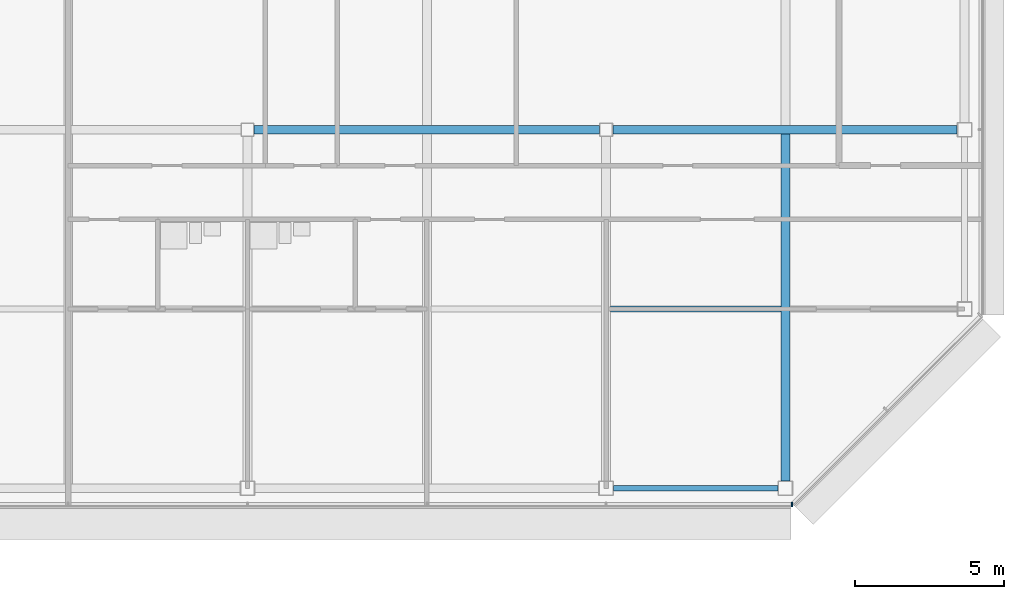
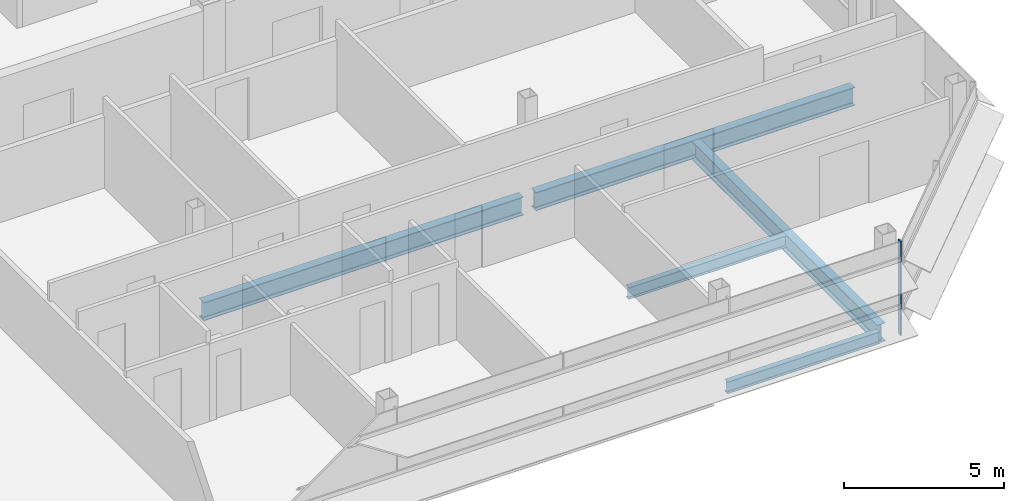
# One storey, part 13 of 31: 5 beams, 1 member, 1 element without a shape of its own.
"""IFC4 building model written with IfcOpenShell, lengths in metres."""

from ifc_helpers import new_model, si_unit, direction, frame, origin, origin_2d, place, context, subcontext, project, spatial, rectangle, i_section, extrude, material, material_profile, profile_set, type_object, element, aggregate, save


model = new_model("IFC4")

# Units and contexts
model_context = context("Model", 3, precision=1e-05, world=origin(), true_north=direction((0.0, 1.0)))
body_context = subcontext(model_context, "Body", "Model", "MODEL_VIEW")
ifc_project = project(units=[si_unit("LENGTHUNIT", "METRE"), si_unit("AREAUNIT", "SQUARE_METRE"), si_unit("VOLUMEUNIT", "CUBIC_METRE"), si_unit("PLANEANGLEUNIT", "RADIAN"), si_unit("MASSUNIT", "GRAM", prefix="KILO")], contexts=[model_context])

# Site, building, storey
site_placement = place(None, origin())
site = spatial("IfcSite", under=ifc_project, at=site_placement, CompositionType="ELEMENT")
building_placement = place(site_placement, origin())
building = spatial("IfcBuilding", under=site, at=building_placement, Name="Sorahane Residences", CompositionType="ELEMENT")
storey_placement = place(building_placement, frame((0.0, 0.0, 319.60009765625)))
storey = spatial("IfcBuildingStorey", under=building, at=storey_placement, Name="L76", CompositionType="ELEMENT", Elevation=319.60009765625)

# Curtain wall, member
ifc_material_1 = material(Name="Dark low-e glass and black anodised aluminium", Category="aluminium")
curtain_wall_type = type_object("IfcCurtainWallType", Name="Curtain wall CW-1 Typical unitised wall", PredefinedType="NOTDEFINED", material=ifc_material_1)
curtain_wall_placement = place(storey_placement, origin())
curtain_wall = element("IfcCurtainWall", 1, at=curtain_wall_placement, inside=storey, type_object=curtain_wall_type, Name="CW-1 curtain wall L76 S2", PredefinedType="NOTDEFINED")
ifc_material_2 = material(Name="Black anodised aluminium", Category="aluminium")
ifc_material_profile_1 = material_profile(ifc_material_2, rectangle(XDim=0.159912109375, YDim=0.050048828125, at=origin_2d()), Name="Curtain wall mullion CW-1 black anodised aluminium 50x160")
ifc_profile_set_1 = profile_set([ifc_material_profile_1], Name="Black anodised aluminium")
member_type = type_object("IfcMemberType", Name="Curtain wall mullion CW-1 black anodised aluminium 50x160", PredefinedType="MULLION", material=ifc_profile_set_1)
member_placement = place(storey_placement, frame((42.2236328125, -0.5400390625, -0.18017578125), z_axis=(0.0, 0.0, 1.0), x_axis=(0.0, -1.0, 0.0)))
member = element("IfcMember", 2, at=member_placement, type_object=member_type, Name="CW-1 mullion L76 S2.8", PredefinedType="MULLION", context=body_context, shape_type="SweptSolid", body=[
    extrude(rectangle(XDim=0.159912109375, YDim=0.050048828125, at=origin_2d()), origin(), (0.0, 0.0, 1.0), 3.60009765625),
])
aggregate(curtain_wall, [member])

# Beams
ifc_material_3 = material(Name="Steel Q355B", Category="steel")
ifc_material_profile_2 = material_profile(ifc_material_3, i_section(OverallWidth=0.199951171875, OverallDepth=0.449951171875, WebThickness=0.009033203125, FlangeThickness=0.013916015625, FilletRadius=0.02001953125, at=origin_2d()), Name="HN 450x200x9x14")
ifc_profile_set_2 = profile_set([ifc_material_profile_2], Name="Steel Q355B")
beam_type_1 = type_object("IfcBeamType", Name="Steel floor beam HN 450x200x9x14 Q355B", PredefinedType="BEAM", material=ifc_profile_set_2)
beam_1_placement = place(storey_placement, frame((36.25, 0.0, -0.405029296875), z_axis=(1.0, 0.0, 0.0), x_axis=(0.0, 1.0, 0.0)))
element("IfcBeam", 3, at=beam_1_placement, inside=storey, type_object=beam_type_1, Name="Beam L76 004", PredefinedType="BEAM", context=body_context, shape_type="SweptSolid", body=[
    extrude(i_section(OverallWidth=0.199951171875, OverallDepth=0.449951171875, WebThickness=0.009033203125, FlangeThickness=0.013916015625, FilletRadius=0.02001953125, at=origin_2d()), origin(), (0.0, 0.0, 1.0), 5.5),
])
beam_2_placement = place(storey_placement, frame((36.14990234375, 6.0, -0.405029296875), z_axis=(1.0, 0.0, 0.0), x_axis=(0.0, 1.0, 0.0)))
element("IfcBeam", 4, at=beam_2_placement, inside=storey, type_object=beam_type_1, Name="Beam L76 072", PredefinedType="BEAM", context=body_context, shape_type="SweptSolid", body=[
    extrude(i_section(OverallWidth=0.199951171875, OverallDepth=0.449951171875, WebThickness=0.009033203125, FlangeThickness=0.013916015625, FilletRadius=0.02001953125, at=origin_2d()), origin(), (0.0, 0.0, 1.0), 5.7001953125),
])
ifc_material_4 = material(Name="Steel Q355B", Category="steel")
ifc_material_profile_3 = material_profile(ifc_material_4, i_section(OverallWidth=0.300048828125, OverallDepth=0.699951171875, WebThickness=0.012939453125, FlangeThickness=0.02392578125, FilletRadius=0.028076171875, at=origin_2d()), Name="HN 700x300x13x24")
ifc_profile_set_3 = profile_set([ifc_material_profile_3], Name="Steel Q355B")
beam_type_2 = type_object("IfcBeamType", Name="Steel floor beam HN 700x300x13x24 Q355B", PredefinedType="BEAM", material=ifc_profile_set_3)
beam_3_placement = place(storey_placement, frame((24.22509765625, 12.0, -0.530029296875), z_axis=(1.0, 0.0, 0.0), x_axis=(0.0, 1.0, 0.0)))
element("IfcBeam", 5, at=beam_3_placement, inside=storey, type_object=beam_type_2, Name="Beam L76 009", PredefinedType="BEAM", context=body_context, shape_type="SweptSolid", body=[
    extrude(i_section(OverallWidth=0.300048828125, OverallDepth=0.699951171875, WebThickness=0.012939453125, FlangeThickness=0.02392578125, FilletRadius=0.028076171875, at=origin_2d()), origin(), (0.0, 0.0, 1.0), 11.5498046875),
])
beam_4_placement = place(storey_placement, frame((36.22509765625, 12.0, -0.530029296875), z_axis=(1.0, 0.0, 0.0), x_axis=(0.0, 1.0, 0.0)))
element("IfcBeam", 6, at=beam_4_placement, inside=storey, type_object=beam_type_2, Name="Beam L76 010", PredefinedType="BEAM", context=body_context, shape_type="SweptSolid", body=[
    extrude(i_section(OverallWidth=0.300048828125, OverallDepth=0.699951171875, WebThickness=0.012939453125, FlangeThickness=0.02392578125, FilletRadius=0.028076171875, at=origin_2d()), origin(), (0.0, 0.0, 1.0), 11.52490234375),
])
beam_5_placement = place(storey_placement, frame((42.0, 0.25, -0.530029296875), z_axis=(0.0, 1.0, 0.0), x_axis=(-1.0, 0.0, 0.0)))
element("IfcBeam", 7, at=beam_5_placement, inside=storey, type_object=beam_type_2, Name="Beam L76 055", PredefinedType="BEAM", context=body_context, shape_type="SweptSolid", body=[
    extrude(i_section(OverallWidth=0.300048828125, OverallDepth=0.699951171875, WebThickness=0.012939453125, FlangeThickness=0.02392578125, FilletRadius=0.028076171875, at=origin_2d()), origin(), (0.0, 0.0, 1.0), 11.60009765625),
])

save(model, "model.ifc")
